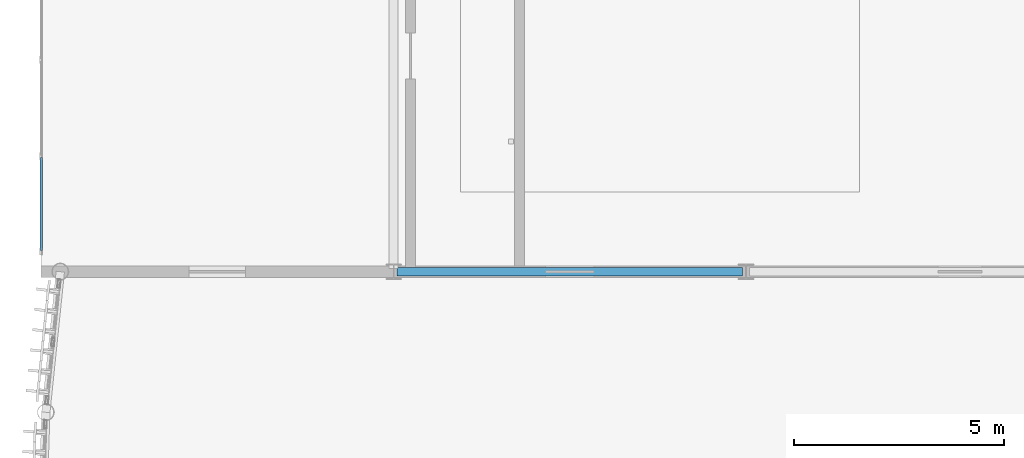
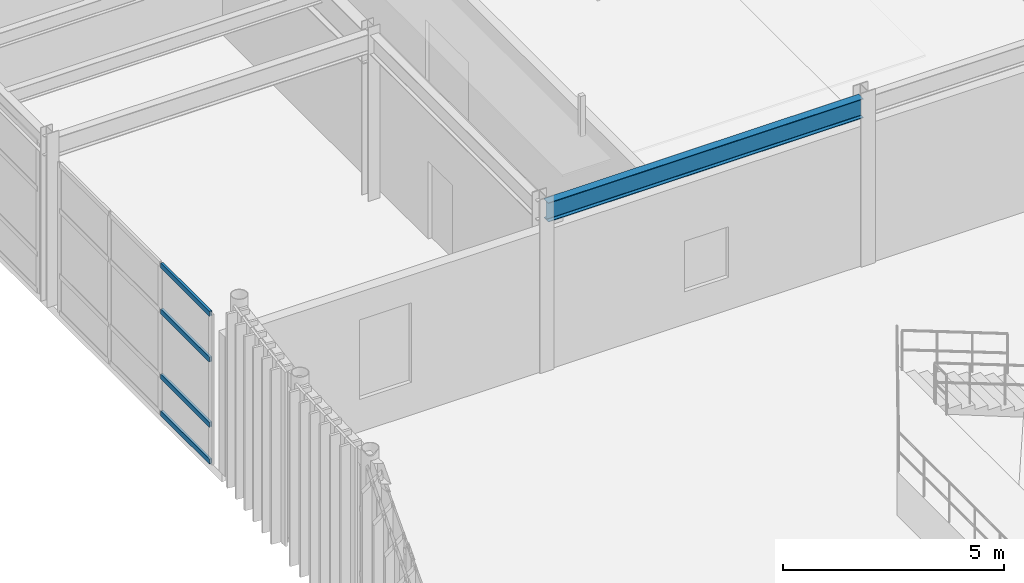
# One storey, part 36 of 116: 4 members, 1 beam, 1 element without a shape of its own.
"""IFC4 building model written with IfcOpenShell, lengths in metres."""

from ifc_helpers import new_model, si_unit, direction, frame, origin, origin_2d, place, context, subcontext, project, spatial, hollow_rectangle, i_section, extrude, material, layer, layer_set, material_profile, profile_set, type_object, element, aggregate, save


model = new_model("IFC4")

# Units and contexts
model_context = context("Model", 3, precision=1e-05, world=origin(), true_north=direction((0.0, 1.0)))
body_context = subcontext(model_context, "Body", "Model", "MODEL_VIEW")
ifc_project = project(units=[si_unit("LENGTHUNIT", "METRE"), si_unit("AREAUNIT", "SQUARE_METRE"), si_unit("VOLUMEUNIT", "CUBIC_METRE"), si_unit("PLANEANGLEUNIT", "RADIAN"), si_unit("MASSUNIT", "GRAM", prefix="KILO")], contexts=[model_context])

# Site, building, storey
site_placement = place(None, origin())
site = spatial("IfcSite", under=ifc_project, at=site_placement, CompositionType="ELEMENT")
building_placement = place(site_placement, origin())
building = spatial("IfcBuilding", under=site, at=building_placement, Name="Selat Folded Stagehouse", CompositionType="ELEMENT")
storey_placement = place(building_placement, frame((0.0, 0.0, 5.39990234375)))
storey = spatial("IfcBuildingStorey", under=building, at=storey_placement, Name="L01", CompositionType="ELEMENT", Elevation=5.39990234375)

# Beam
ifc_material_1 = material(Name="Steel S355", Category="steel")
ifc_material_profile_1 = material_profile(ifc_material_1, i_section(OverallWidth=0.209228515625, OverallDepth=0.533203125, WebThickness=0.010009765625, FlangeThickness=0.015625, FilletRadius=0.0126953125, at=origin_2d()), Name="UKB 533x210x92")
ifc_profile_set_1 = profile_set([ifc_material_profile_1], Name="Steel S355")
beam_type = type_object("IfcBeamType", Name="BM-GIRD-533x210x92", PredefinedType="BEAM", material=ifc_profile_set_1)
beam_placement = place(storey_placement, frame((8.47998046875, 54.60009765625, 4.3134765625), z_axis=(1.0, 0.0, 0.0), x_axis=(0.0, 1.0, 0.0)))
element("IfcBeam", 1, at=beam_placement, inside=storey, type_object=beam_type, Name="L01 primary x-girder 0792", PredefinedType="BEAM", context=body_context, shape_type="SweptSolid", body=[
    extrude(i_section(OverallWidth=0.209228515625, OverallDepth=0.533203125, WebThickness=0.010009765625, FlangeThickness=0.015625, FilletRadius=0.0126953125, at=origin_2d()), origin(), (0.0, 0.0, 1.0), 8.239990234375),
])

# Curtain wall, members
ifc_material_2 = material(Name="Aluminium 6063-T6", Category="aluminium")
ifc_layer = layer(ifc_material_2, 0.179931640625)
ifc_layer_set = layer_set([ifc_layer], Name="Aluminium 6063-T6")
curtain_wall_type = type_object("IfcCurtainWallType", Name="CW-BBX-FOYER", PredefinedType="NOTDEFINED", material=ifc_layer_set)
curtain_wall_placement = place(storey_placement, origin())
curtain_wall = element("IfcCurtainWall", 2, at=curtain_wall_placement, inside=storey, type_object=curtain_wall_type, Name="L01 curtain wall CW-BRG-21", PredefinedType="NOTDEFINED")
ifc_material_profile_2 = material_profile(ifc_material_2, hollow_rectangle(XDim=0.06494140625, YDim=0.139892578125, WallThickness=0.00390625, at=origin_2d()), Name="ALU 140x65x4.0")
ifc_profile_set_2 = profile_set([ifc_material_profile_2], Name="Aluminium 6063-T6")
member_type = type_object("IfcMemberType", Name="CWM-TRN-140x65", PredefinedType="USERDEFINED", material=ifc_profile_set_2)
member_1_placement = place(storey_placement, frame((0.0, 55.110107421875, 0.03271484375), z_axis=(0.0, 1.0, 0.0), x_axis=(-1.0, 0.0, 0.0)))
member_1 = element("IfcMember", 3, at=member_1_placement, type_object=member_type, Name="CW-08 transom 1.1", ObjectType="TRANSOM", PredefinedType="USERDEFINED", context=body_context, shape_type="SweptSolid", body=[
    extrude(hollow_rectangle(XDim=0.06494140625, YDim=0.139892578125, WallThickness=0.00390625, at=origin_2d()), origin(), (0.0, 0.0, 1.0), 2.2099609375),
])
member_2_placement = place(storey_placement, frame((0.0, 55.110107421875, 1.050048828125), z_axis=(0.0, 1.0, 0.0), x_axis=(-1.0, 0.0, 0.0)))
member_2 = element("IfcMember", 4, at=member_2_placement, type_object=member_type, Name="CW-08 transom 1.2", ObjectType="TRANSOM", PredefinedType="USERDEFINED", context=body_context, shape_type="SweptSolid", body=[
    extrude(hollow_rectangle(XDim=0.06494140625, YDim=0.139892578125, WallThickness=0.00390625, at=origin_2d()), origin(), (0.0, 0.0, 1.0), 2.2099609375),
])
member_3_placement = place(storey_placement, frame((0.0, 55.110107421875, 2.85009765625), z_axis=(0.0, 1.0, 0.0), x_axis=(-1.0, 0.0, 0.0)))
member_3 = element("IfcMember", 5, at=member_3_placement, type_object=member_type, Name="CW-08 transom 1.3", ObjectType="TRANSOM", PredefinedType="USERDEFINED", context=body_context, shape_type="SweptSolid", body=[
    extrude(hollow_rectangle(XDim=0.06494140625, YDim=0.139892578125, WallThickness=0.00390625, at=origin_2d()), origin(), (0.0, 0.0, 1.0), 2.2099609375),
])
member_4_placement = place(storey_placement, frame((0.0, 55.110107421875, 4.11767578125), z_axis=(0.0, 1.0, 0.0), x_axis=(-1.0, 0.0, 0.0)))
member_4 = element("IfcMember", 6, at=member_4_placement, type_object=member_type, Name="CW-08 transom 1.4", ObjectType="TRANSOM", PredefinedType="USERDEFINED", context=body_context, shape_type="SweptSolid", body=[
    extrude(hollow_rectangle(XDim=0.06494140625, YDim=0.139892578125, WallThickness=0.00390625, at=origin_2d()), origin(), (0.0, 0.0, 1.0), 2.2099609375),
])
aggregate(curtain_wall, [member_1, member_2, member_3, member_4])

save(model, "model.ifc")
